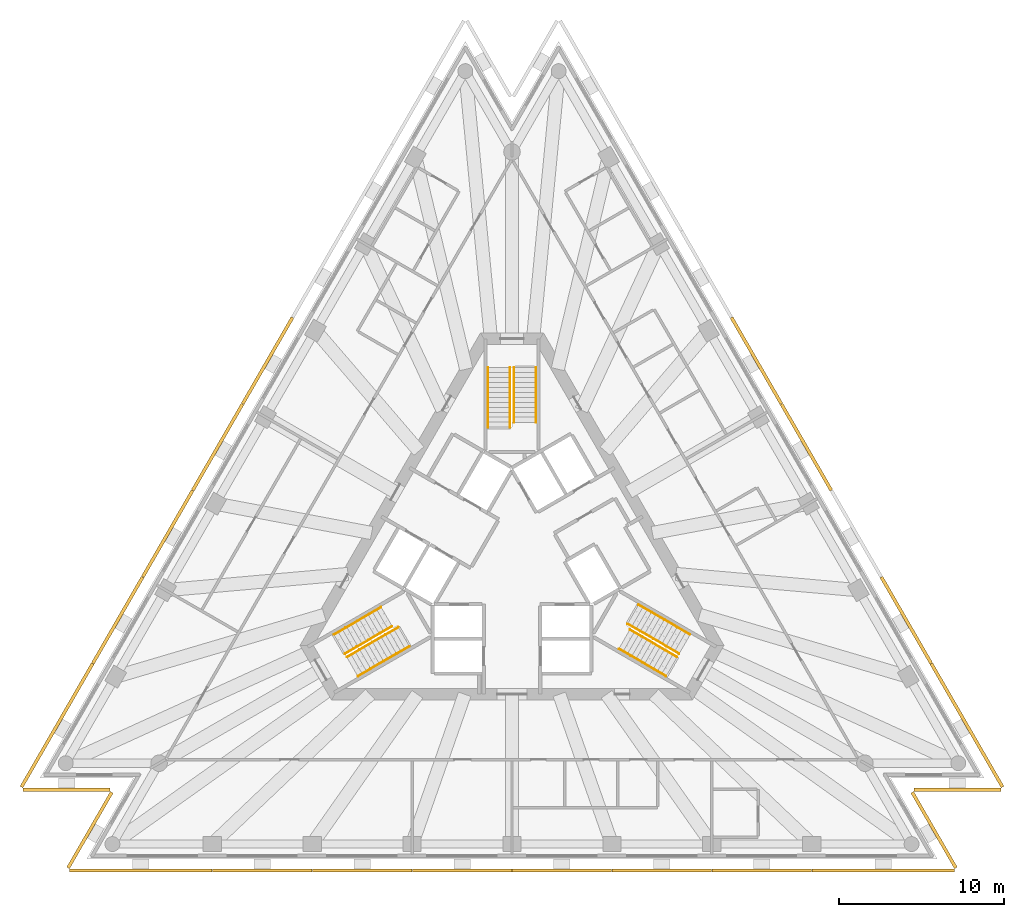
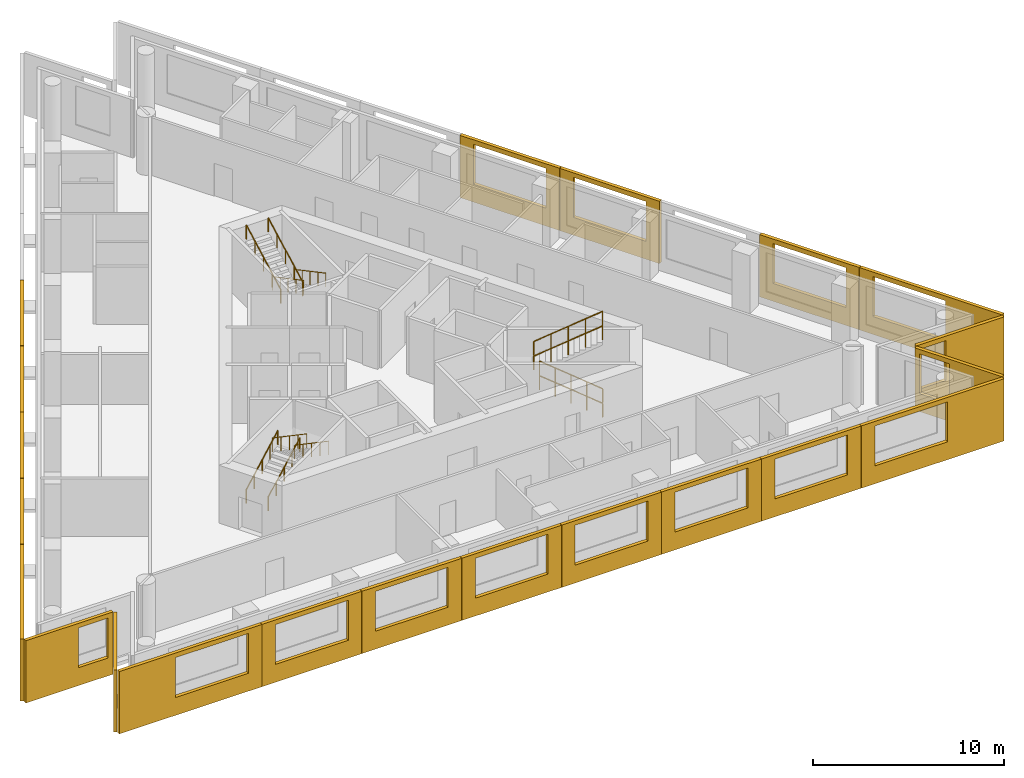
# One storey, part 8 of 9: 21 shading devices, 12 railings, 3 elements without a shape of their own.
"""IFC4 building model written with IfcOpenShell, lengths in metres."""

from ifc_helpers import new_model, si_unit, direction, frame, origin, origin_2d, place, context, subcontext, project, spatial, polyline, circle, outline, extrude, material, layer, layer_set, type_object, element, aggregate, save


model = new_model("IFC4")

# Units and contexts
model_context = context("Model", 3, precision=1e-05, world=origin(), true_north=direction((0.0, 1.0)))
body_context = subcontext(model_context, "Body", "Model", "MODEL_VIEW")
ifc_project = project(units=[si_unit("LENGTHUNIT", "METRE"), si_unit("AREAUNIT", "SQUARE_METRE"), si_unit("VOLUMEUNIT", "CUBIC_METRE"), si_unit("PLANEANGLEUNIT", "RADIAN"), si_unit("MASSUNIT", "GRAM", prefix="KILO")], contexts=[model_context])

# Site, building, storey
site_placement = place(None, origin())
site = spatial("IfcSite", under=ifc_project, at=site_placement, CompositionType="ELEMENT")
building_placement = place(site_placement, origin())
building = spatial("IfcBuilding", under=site, at=building_placement, Name="Triada Interchange Tower", CompositionType="ELEMENT")
storey_placement = place(building_placement, frame((0.0, 0.0, 219.300048828125)))
storey = spatial("IfcBuildingStorey", under=building, at=storey_placement, Name="L51", CompositionType="ELEMENT", Elevation=219.300048828125)

# Shading devices
ifc_material_1 = material(Name="Concrete C50/60 precast", Category="concrete")
ifc_layer_1 = layer(ifc_material_1, 0.02001953125, Name="Exposed aggregate face")
ifc_layer_2 = layer(ifc_material_1, 0.179931640625, Name="Precast concrete screen")
ifc_layer_set = layer_set([ifc_layer_1, ifc_layer_2], Name="Outer skin screen panel 3980")
shading_device_type = type_object("IfcShadingDeviceType", Name="Outer skin screen panel 3980", PredefinedType="SHUTTER", material=ifc_layer_set)
shading_device_1_placement = place(storey_placement, frame((-13.18798828125, 14.577880859375, -0.2900390625), z_axis=(0.0, 0.0, 1.0), x_axis=(-0.499972859464, -0.866041072813, 0.0)))
element("IfcShadingDevice", 1, at=shading_device_1_placement, inside=storey, type_object=shading_device_type, Name="Outer skin screen panel L51 04", PredefinedType="SHUTTER", context=body_context, shape_type="SweptSolid", body=[
    extrude(outline(polyline([(0.0, 0.0), (6.020263671875, 0.0), (6.020263671875, 3.97998046875), (0.0, 3.97998046875), (0.0, 0.0)]), holes=[polyline([(0.81005859375, 1.139892578125), (0.81005859375, 3.68994140625), (5.2099609375, 3.68994140625), (5.2099609375, 1.139892578125), (0.81005859375, 1.139892578125)])]), frame((0.0, 0.0, 0.0), z_axis=(0.0, -1.0, 0.0), x_axis=(1.0, 0.0, 0.0)), (0.0, 0.0, 1.0), 0.199951171875),
])
shading_device_2_placement = place(storey_placement, frame((-16.2080078125, 9.345947265625, -0.2900390625), z_axis=(0.0, 0.0, 1.0), x_axis=(-0.499972859464, -0.866041072813, 0.0)))
element("IfcShadingDevice", 2, at=shading_device_2_placement, inside=storey, type_object=shading_device_type, Name="Outer skin screen panel L51 05", PredefinedType="SHUTTER", context=body_context, shape_type="SweptSolid", body=[
    extrude(outline(polyline([(0.0, 0.0), (6.020263671875, 0.0), (6.020263671875, 3.97998046875), (0.0, 3.97998046875), (0.0, 0.0)]), holes=[polyline([(0.810302734375, 1.139892578125), (0.810302734375, 3.68994140625), (5.21044921875, 3.68994140625), (5.21044921875, 1.139892578125), (0.810302734375, 1.139892578125)])]), frame((0.0, 0.0, 0.0), z_axis=(0.0, -1.0, 0.0), x_axis=(1.0, 0.0, 0.0)), (0.0, 0.0, 1.0), 0.199951171875),
])
shading_device_3_placement = place(storey_placement, frame((-19.22802734375, 4.114990234375, -0.2900390625), z_axis=(0.0, 0.0, 1.0), x_axis=(-0.500076946771, -0.865980973987, 0.0)))
element("IfcShadingDevice", 3, at=shading_device_3_placement, inside=storey, type_object=shading_device_type, Name="Outer skin screen panel L51 06", PredefinedType="SHUTTER", context=body_context, shape_type="SweptSolid", body=[
    extrude(outline(polyline([(0.0, 0.0), (6.02099609375, 0.0), (6.02099609375, 3.97998046875), (0.0, 3.97998046875), (0.0, 0.0)]), holes=[polyline([(0.809814453125, 1.139892578125), (0.809814453125, 3.68994140625), (5.2099609375, 3.68994140625), (5.2099609375, 1.139892578125), (0.809814453125, 1.139892578125)])]), frame((0.0, 0.0, 0.0), z_axis=(0.0, -1.0, 0.0), x_axis=(1.0, 0.0, 0.0)), (0.0, 0.0, 1.0), 0.199951171875),
])
shading_device_4_placement = place(storey_placement, frame((-22.2490234375, -1.115966796875, -0.2900390625), z_axis=(0.0, 0.0, 1.0), x_axis=(-0.499955300828, -0.866051209326, 0.0)))
element("IfcShadingDevice", 4, at=shading_device_4_placement, inside=storey, type_object=shading_device_type, Name="Outer skin screen panel L51 07", PredefinedType="SHUTTER", context=body_context, shape_type="SweptSolid", body=[
    extrude(outline(polyline([(0.0, 0.0), (6.0205078125, 0.0), (6.0205078125, 3.97998046875), (0.0, 3.97998046875), (0.0, 0.0)]), holes=[polyline([(0.810302734375, 1.139892578125), (0.810302734375, 3.68994140625), (5.21044921875, 3.68994140625), (5.21044921875, 1.139892578125), (0.810302734375, 1.139892578125)])]), frame((0.0, 0.0, 0.0), z_axis=(0.0, -1.0, 0.0), x_axis=(1.0, 0.0, 0.0)), (0.0, 0.0, 1.0), 0.199951171875),
])
shading_device_5_placement = place(storey_placement, frame((-25.26904296875, -6.346923828125, -0.2900390625), z_axis=(0.0, 0.0, 1.0), x_axis=(-0.499950501706, -0.866053979752, 0.0)))
element("IfcShadingDevice", 5, at=shading_device_5_placement, inside=storey, type_object=shading_device_type, Name="Outer skin screen panel L51 08", PredefinedType="SHUTTER", context=body_context, shape_type="SweptSolid", body=[
    extrude(outline(polyline([(0.0, 0.0), (8.618408203125, 0.0), (8.618408203125, 3.97998046875), (0.0, 3.97998046875), (0.0, 0.0)]), holes=[polyline([(0.809814453125, 1.139892578125), (0.809814453125, 3.68994140625), (5.2099609375, 3.68994140625), (5.2099609375, 1.139892578125), (0.809814453125, 1.139892578125)])]), frame((0.0, 0.0, 0.0), z_axis=(0.0, -1.0, 0.0), x_axis=(1.0, 0.0, 0.0)), (0.0, 0.0, 1.0), 0.199951171875),
])
shading_device_6_placement = place(storey_placement, frame((-29.572998046875, -13.820068359375, -0.2900390625), z_axis=(0.0, 0.0, 1.0), x_axis=(1.0, 0.0, 0.0)))
element("IfcShadingDevice", 6, at=shading_device_6_placement, inside=storey, type_object=shading_device_type, Name="Outer skin screen panel L51 09", PredefinedType="SHUTTER", context=body_context, shape_type="SweptSolid", body=[
    extrude(outline(polyline([(0.0, 0.0), (5.279052734375, 0.0), (5.279052734375, 3.97998046875), (0.0, 3.97998046875), (0.0, 0.0)]), holes=[polyline([(3.175048828125, 1.139892578125), (3.175048828125, 3.68994140625), (4.97900390625, 3.68994140625), (4.97900390625, 1.139892578125), (3.175048828125, 1.139892578125)])]), frame((0.0, 0.0, 0.0), z_axis=(0.0, -1.0, 0.0), x_axis=(1.0, 0.0, 0.0)), (0.0, 0.0, 1.0), 0.199951171875),
])
shading_device_7_placement = place(storey_placement, frame((-24.114990234375, -14.12890625, -0.2900390625), z_axis=(0.0, 0.0, 1.0), x_axis=(-0.50003334744, -0.866006149775, 0.0)))
element("IfcShadingDevice", 7, at=shading_device_7_placement, inside=storey, type_object=shading_device_type, Name="Outer skin screen panel L51 10", PredefinedType="SHUTTER", context=body_context, shape_type="SweptSolid", body=[
    extrude(outline(polyline([(0.0, 0.0), (5.279541015625, 0.0), (5.279541015625, 3.97998046875), (0.0, 3.97998046875), (0.0, 0.0)]), holes=[polyline([(0.300048828125, 1.139892578125), (0.300048828125, 3.68994140625), (1.758056640625, 3.68994140625), (1.758056640625, 1.139892578125), (0.300048828125, 1.139892578125)])]), frame((0.0, 0.0, 0.0), z_axis=(0.0, -1.0, 0.0), x_axis=(1.0, 0.0, 0.0)), (0.0, 0.0, 1.0), 0.199951171875),
])
shading_device_8_placement = place(storey_placement, frame((-26.75, -18.7099609375, -0.2900390625), z_axis=(0.0, 0.0, 1.0), x_axis=(1.0, 0.0, 0.0)))
element("IfcShadingDevice", 8, at=shading_device_8_placement, inside=storey, type_object=shading_device_type, Name="Outer skin screen panel L51 11", PredefinedType="SHUTTER", context=body_context, shape_type="SweptSolid", body=[
    extrude(outline(polyline([(0.0, 0.0), (8.618896484375, 0.0), (8.618896484375, 3.97998046875), (0.0, 3.97998046875), (0.0, 0.0)]), holes=[polyline([(3.407958984375, 1.139892578125), (3.407958984375, 3.68994140625), (7.80810546875, 3.68994140625), (7.80810546875, 1.139892578125), (3.407958984375, 1.139892578125)])]), frame((0.0, 0.0, 0.0), z_axis=(0.0, -1.0, 0.0), x_axis=(1.0, 0.0, 0.0)), (0.0, 0.0, 1.0), 0.199951171875),
])
shading_device_9_placement = place(storey_placement, frame((-18.112060546875, -18.7099609375, -0.2900390625), z_axis=(0.0, 0.0, 1.0), x_axis=(1.0, 0.0, 0.0)))
element("IfcShadingDevice", 9, at=shading_device_9_placement, inside=storey, type_object=shading_device_type, Name="Outer skin screen panel L51 12", PredefinedType="SHUTTER", context=body_context, shape_type="SweptSolid", body=[
    extrude(outline(polyline([(0.0, 0.0), (6.02099609375, 0.0), (6.02099609375, 3.97998046875), (0.0, 3.97998046875), (0.0, 0.0)]), holes=[polyline([(0.810546875, 1.139892578125), (0.810546875, 3.68994140625), (5.21044921875, 3.68994140625), (5.21044921875, 1.139892578125), (0.810546875, 1.139892578125)])]), frame((0.0, 0.0, 0.0), z_axis=(0.0, -1.0, 0.0), x_axis=(1.0, 0.0, 0.0)), (0.0, 0.0, 1.0), 0.199951171875),
])
shading_device_10_placement = place(storey_placement, frame((-12.071044921875, -18.7099609375, -0.2900390625), z_axis=(0.0, 0.0, 1.0), x_axis=(1.0, 0.0, 0.0)))
element("IfcShadingDevice", 10, at=shading_device_10_placement, inside=storey, type_object=shading_device_type, Name="Outer skin screen panel L51 13", PredefinedType="SHUTTER", context=body_context, shape_type="SweptSolid", body=[
    extrude(outline(polyline([(0.0, 0.0), (6.02001953125, 0.0), (6.02001953125, 3.97998046875), (0.0, 3.97998046875), (0.0, 0.0)]), holes=[polyline([(0.81005859375, 1.139892578125), (0.81005859375, 3.68994140625), (5.2099609375, 3.68994140625), (5.2099609375, 1.139892578125), (0.81005859375, 1.139892578125)])]), frame((0.0, 0.0, 0.0), z_axis=(0.0, -1.0, 0.0), x_axis=(1.0, 0.0, 0.0)), (0.0, 0.0, 1.0), 0.199951171875),
])
shading_device_11_placement = place(storey_placement, frame((-6.030029296875, -18.7099609375, -0.2900390625), z_axis=(0.0, 0.0, 1.0), x_axis=(1.0, 0.0, 0.0)))
element("IfcShadingDevice", 11, at=shading_device_11_placement, inside=storey, type_object=shading_device_type, Name="Outer skin screen panel L51 14", PredefinedType="SHUTTER", context=body_context, shape_type="SweptSolid", body=[
    extrude(outline(polyline([(0.0, 0.0), (6.02001953125, 0.0), (6.02001953125, 3.97998046875), (0.0, 3.97998046875), (0.0, 0.0)]), holes=[polyline([(0.810546875, 1.139892578125), (0.810546875, 3.68994140625), (5.21044921875, 3.68994140625), (5.21044921875, 1.139892578125), (0.810546875, 1.139892578125)])]), frame((0.0, 0.0, 0.0), z_axis=(0.0, -1.0, 0.0), x_axis=(1.0, 0.0, 0.0)), (0.0, 0.0, 1.0), 0.199951171875),
])
shading_device_12_placement = place(storey_placement, frame((0.010009765625, -18.7099609375, -0.2900390625), z_axis=(0.0, 0.0, 1.0), x_axis=(1.0, 0.0, 0.0)))
element("IfcShadingDevice", 12, at=shading_device_12_placement, inside=storey, type_object=shading_device_type, Name="Outer skin screen panel L51 15", PredefinedType="SHUTTER", context=body_context, shape_type="SweptSolid", body=[
    extrude(outline(polyline([(0.0, 0.0), (6.02001953125, 0.0), (6.02001953125, 3.97998046875), (0.0, 3.97998046875), (0.0, 0.0)]), holes=[polyline([(0.81005859375, 1.139892578125), (0.81005859375, 3.68994140625), (5.2099609375, 3.68994140625), (5.2099609375, 1.139892578125), (0.81005859375, 1.139892578125)])]), frame((0.0, 0.0, 0.0), z_axis=(0.0, -1.0, 0.0), x_axis=(1.0, 0.0, 0.0)), (0.0, 0.0, 1.0), 0.199951171875),
])
shading_device_13_placement = place(storey_placement, frame((6.051025390625, -18.7099609375, -0.2900390625), z_axis=(0.0, 0.0, 1.0), x_axis=(1.0, 0.0, 0.0)))
element("IfcShadingDevice", 13, at=shading_device_13_placement, inside=storey, type_object=shading_device_type, Name="Outer skin screen panel L51 16", PredefinedType="SHUTTER", context=body_context, shape_type="SweptSolid", body=[
    extrude(outline(polyline([(0.0, 0.0), (6.02001953125, 0.0), (6.02001953125, 3.97998046875), (0.0, 3.97998046875), (0.0, 0.0)]), holes=[polyline([(0.810546875, 1.139892578125), (0.810546875, 3.68994140625), (5.21044921875, 3.68994140625), (5.21044921875, 1.139892578125), (0.810546875, 1.139892578125)])]), frame((0.0, 0.0, 0.0), z_axis=(0.0, -1.0, 0.0), x_axis=(1.0, 0.0, 0.0)), (0.0, 0.0, 1.0), 0.199951171875),
])
shading_device_14_placement = place(storey_placement, frame((12.091064453125, -18.7099609375, -0.2900390625), z_axis=(0.0, 0.0, 1.0), x_axis=(1.0, 0.0, 0.0)))
element("IfcShadingDevice", 14, at=shading_device_14_placement, inside=storey, type_object=shading_device_type, Name="Outer skin screen panel L51 17", PredefinedType="SHUTTER", context=body_context, shape_type="SweptSolid", body=[
    extrude(outline(polyline([(0.0, 0.0), (6.02099609375, 0.0), (6.02099609375, 3.97998046875), (0.0, 3.97998046875), (0.0, 0.0)]), holes=[polyline([(0.81005859375, 1.139892578125), (0.81005859375, 3.68994140625), (5.2099609375, 3.68994140625), (5.2099609375, 1.139892578125), (0.81005859375, 1.139892578125)])]), frame((0.0, 0.0, 0.0), z_axis=(0.0, -1.0, 0.0), x_axis=(1.0, 0.0, 0.0)), (0.0, 0.0, 1.0), 0.199951171875),
])
shading_device_15_placement = place(storey_placement, frame((18.132080078125, -18.7099609375, -0.2900390625), z_axis=(0.0, 0.0, 1.0), x_axis=(1.0, 0.0, 0.0)))
element("IfcShadingDevice", 15, at=shading_device_15_placement, inside=storey, type_object=shading_device_type, Name="Outer skin screen panel L51 18", PredefinedType="SHUTTER", context=body_context, shape_type="SweptSolid", body=[
    extrude(outline(polyline([(0.0, 0.0), (8.617919921875, 0.0), (8.617919921875, 3.97998046875), (0.0, 3.97998046875), (0.0, 0.0)]), holes=[polyline([(0.810546875, 1.139892578125), (0.810546875, 3.68994140625), (5.21044921875, 3.68994140625), (5.21044921875, 1.139892578125), (0.810546875, 1.139892578125)])]), frame((0.0, 0.0, 0.0), z_axis=(0.0, -1.0, 0.0), x_axis=(1.0, 0.0, 0.0)), (0.0, 0.0, 1.0), 0.199951171875),
])
shading_device_16_placement = place(storey_placement, frame((26.7548828125, -18.700927734375, -0.2900390625), z_axis=(0.0, 0.0, 1.0), x_axis=(-0.50003334744, 0.866006149775, 0.0)))
element("IfcShadingDevice", 16, at=shading_device_16_placement, inside=storey, type_object=shading_device_type, Name="Outer skin screen panel L51 19", PredefinedType="SHUTTER", context=body_context, shape_type="SweptSolid", body=[
    extrude(outline(polyline([(0.0, 0.0), (5.279541015625, 0.0), (5.279541015625, 3.97998046875), (0.0, 3.97998046875), (0.0, 0.0)]), holes=[polyline([(3.17529296875, 1.139892578125), (3.17529296875, 3.68994140625), (4.979736328125, 3.68994140625), (4.979736328125, 1.139892578125), (3.17529296875, 1.139892578125)])]), frame((0.0, 0.0, 0.0), z_axis=(0.0, -1.0, 0.0), x_axis=(1.0, 0.0, 0.0)), (0.0, 0.0, 1.0), 0.199951171875),
])
shading_device_17_placement = place(storey_placement, frame((24.2939453125, -13.820068359375, -0.2900390625), z_axis=(0.0, 0.0, 1.0), x_axis=(1.0, 0.0, 0.0)))
element("IfcShadingDevice", 17, at=shading_device_17_placement, inside=storey, type_object=shading_device_type, Name="Outer skin screen panel L51 20", PredefinedType="SHUTTER", context=body_context, shape_type="SweptSolid", body=[
    extrude(outline(polyline([(0.0, 0.0), (5.279052734375, 0.0), (5.279052734375, 3.97998046875), (0.0, 3.97998046875), (0.0, 0.0)]), holes=[polyline([(0.300048828125, 1.139892578125), (0.300048828125, 3.68994140625), (1.758056640625, 3.68994140625), (1.758056640625, 1.139892578125), (0.300048828125, 1.139892578125)])]), frame((0.0, 0.0, 0.0), z_axis=(0.0, -1.0, 0.0), x_axis=(1.0, 0.0, 0.0)), (0.0, 0.0, 1.0), 0.199951171875),
])
shading_device_18_placement = place(storey_placement, frame((29.577880859375, -13.81103515625, -0.2900390625), z_axis=(0.0, 0.0, 1.0), x_axis=(-0.499950501706, 0.866053979752, 0.0)))
element("IfcShadingDevice", 18, at=shading_device_18_placement, inside=storey, type_object=shading_device_type, Name="Outer skin screen panel L51 21", PredefinedType="SHUTTER", context=body_context, shape_type="SweptSolid", body=[
    extrude(outline(polyline([(0.0, 0.0), (8.618408203125, 0.0), (8.618408203125, 3.97998046875), (0.0, 3.97998046875), (0.0, 0.0)]), holes=[polyline([(3.408203125, 1.139892578125), (3.408203125, 3.68994140625), (7.808349609375, 3.68994140625), (7.808349609375, 1.139892578125), (3.408203125, 1.139892578125)])]), frame((0.0, 0.0, 0.0), z_axis=(0.0, -1.0, 0.0), x_axis=(1.0, 0.0, 0.0)), (0.0, 0.0, 1.0), 0.199951171875),
])
shading_device_19_placement = place(storey_placement, frame((25.259033203125, -6.330078125, -0.2900390625), z_axis=(0.0, 0.0, 1.0), x_axis=(-0.499955300828, 0.866051209326, 0.0)))
element("IfcShadingDevice", 19, at=shading_device_19_placement, inside=storey, type_object=shading_device_type, Name="Outer skin screen panel L51 22", PredefinedType="SHUTTER", context=body_context, shape_type="SweptSolid", body=[
    extrude(outline(polyline([(0.0, 0.0), (6.0205078125, 0.0), (6.0205078125, 3.97998046875), (0.0, 3.97998046875), (0.0, 0.0)]), holes=[polyline([(0.809814453125, 1.139892578125), (0.809814453125, 3.68994140625), (5.209716796875, 3.68994140625), (5.209716796875, 1.139892578125), (0.809814453125, 1.139892578125)])]), frame((0.0, 0.0, 0.0), z_axis=(0.0, -1.0, 0.0), x_axis=(1.0, 0.0, 0.0)), (0.0, 0.0, 1.0), 0.199951171875),
])
shading_device_20_placement = place(storey_placement, frame((19.218017578125, 4.132080078125, -0.2900390625), z_axis=(0.0, 0.0, 1.0), x_axis=(-0.499972859464, 0.866041072813, 0.0)))
element("IfcShadingDevice", 20, at=shading_device_20_placement, inside=storey, type_object=shading_device_type, Name="Outer skin screen panel L51 24", PredefinedType="SHUTTER", context=body_context, shape_type="SweptSolid", body=[
    extrude(outline(polyline([(0.0, 0.0), (6.020263671875, 0.0), (6.020263671875, 3.97998046875), (0.0, 3.97998046875), (0.0, 0.0)]), holes=[polyline([(0.810791015625, 1.139892578125), (0.810791015625, 3.68994140625), (5.210693359375, 3.68994140625), (5.210693359375, 1.139892578125), (0.810791015625, 1.139892578125)])]), frame((0.0, 0.0, 0.0), z_axis=(0.0, -1.0, 0.0), x_axis=(1.0, 0.0, 0.0)), (0.0, 0.0, 1.0), 0.199951171875),
])
shading_device_21_placement = place(storey_placement, frame((16.197998046875, 9.364013671875, -0.2900390625), z_axis=(0.0, 0.0, 1.0), x_axis=(-0.499972859464, 0.866041072813, 0.0)))
element("IfcShadingDevice", 21, at=shading_device_21_placement, inside=storey, type_object=shading_device_type, Name="Outer skin screen panel L51 25", PredefinedType="SHUTTER", context=body_context, shape_type="SweptSolid", body=[
    extrude(outline(polyline([(0.0, 0.0), (6.020263671875, 0.0), (6.020263671875, 3.97998046875), (0.0, 3.97998046875), (0.0, 0.0)]), holes=[polyline([(0.810302734375, 1.139892578125), (0.810302734375, 3.68994140625), (5.210205078125, 3.68994140625), (5.210205078125, 1.139892578125), (0.810302734375, 1.139892578125)])]), frame((0.0, 0.0, 0.0), z_axis=(0.0, -1.0, 0.0), x_axis=(1.0, 0.0, 0.0)), (0.0, 0.0, 1.0), 0.199951171875),
])

# Stair, railings
ifc_material_2 = material(Name="Concrete C35/45", Category="concrete")
stair_type = type_object("IfcStairType", Name="HALF TURN STAIR 1400", PredefinedType="HALF_TURN_STAIR", material=ifc_material_2)
stair_1_placement = place(storey_placement, origin())
stair_1 = element("IfcStair", 22, at=stair_1_placement, inside=storey, type_object=stair_type, Name="Exit stair S50-1", PredefinedType="HALF_TURN_STAIR")
ifc_material_3 = material(Name="Stainless steel 1.4301", Category="steel")
railing_type = type_object("IfcRailingType", Name="STAIR HANDRAIL 900", PredefinedType="HANDRAIL", material=ifc_material_3)
railing_1_placement = place(storey_placement, frame((1.449951171875, 11.60009765625, 0.159912109375)))
railing_1 = element("IfcRailing", 23, at=railing_1_placement, type_object=railing_type, Name="Handrail S50-1 1W", PredefinedType="HANDRAIL", context=body_context, shape_type="SweptSolid", body=[
    extrude(circle(Radius=0.02392578125, at=origin_2d()), frame((0.0, 0.0, 0.8759765625), z_axis=(0.0, -0.882354748157, 0.47058484719), x_axis=(1.0, 0.0, 0.0)), (0.0, 0.0, 1.0), 3.739990234375),
    extrude(circle(Radius=0.02099609375, at=origin_2d()), origin(), (0.0, 0.0, 1.0), 0.851806640625),
    extrude(circle(Radius=0.02099609375, at=origin_2d()), frame((0.0, -0.824951171875, 0.43994140625)), (0.0, 0.0, 1.0), 0.851806640625),
    extrude(circle(Radius=0.02099609375, at=origin_2d()), frame((0.0, -1.64990234375, 0.8798828125)), (0.0, 0.0, 1.0), 0.851806640625),
    extrude(circle(Radius=0.02099609375, at=origin_2d()), frame((0.0, -2.47509765625, 1.320068359375)), (0.0, 0.0, 1.0), 0.851806640625),
    extrude(circle(Radius=0.02099609375, at=origin_2d()), frame((0.0, -3.300048828125, 1.760009765625)), (0.0, 0.0, 1.0), 0.851806640625),
])
railing_2_placement = place(storey_placement, frame((0.1201171875, 11.60009765625, 0.159912109375)))
railing_2 = element("IfcRailing", 24, at=railing_2_placement, type_object=railing_type, Name="Handrail S50-1 1C", PredefinedType="HANDRAIL", context=body_context, shape_type="SweptSolid", body=[
    extrude(circle(Radius=0.02392578125, at=origin_2d()), frame((0.0, 0.0, 0.8759765625), z_axis=(0.0, -0.882354748157, 0.47058484719), x_axis=(1.0, 0.0, 0.0)), (0.0, 0.0, 1.0), 3.739990234375),
    extrude(circle(Radius=0.02099609375, at=origin_2d()), origin(), (0.0, 0.0, 1.0), 0.851806640625),
    extrude(circle(Radius=0.02099609375, at=origin_2d()), frame((0.0, -0.824951171875, 0.43994140625)), (0.0, 0.0, 1.0), 0.851806640625),
    extrude(circle(Radius=0.02099609375, at=origin_2d()), frame((0.0, -1.64990234375, 0.8798828125)), (0.0, 0.0, 1.0), 0.851806640625),
    extrude(circle(Radius=0.02099609375, at=origin_2d()), frame((0.0, -2.47509765625, 1.320068359375)), (0.0, 0.0, 1.0), 0.851806640625),
    extrude(circle(Radius=0.02099609375, at=origin_2d()), frame((0.0, -3.300048828125, 1.760009765625)), (0.0, 0.0, 1.0), 0.851806640625),
])
railing_3_placement = place(storey_placement, frame((-1.449951171875, 8.0, 2.079833984375)))
railing_3 = element("IfcRailing", 25, at=railing_3_placement, type_object=railing_type, Name="Handrail S50-1 2W", PredefinedType="HANDRAIL", context=body_context, shape_type="SweptSolid", body=[
    extrude(circle(Radius=0.02392578125, at=origin_2d()), frame((0.0, 0.0, 0.8759765625), z_axis=(0.0, 0.882341346394, 0.470609974867), x_axis=(-1.0, 0.0, 0.0)), (0.0, 0.0, 1.0), 4.080078125),
    extrude(circle(Radius=0.02099609375, at=origin_2d()), origin(), (0.0, 0.0, 1.0), 0.851806640625),
    extrude(circle(Radius=0.02099609375, at=origin_2d()), frame((0.0, 0.89990234375, 0.47998046875)), (0.0, 0.0, 1.0), 0.851806640625),
    extrude(circle(Radius=0.02099609375, at=origin_2d()), frame((0.0, 1.800048828125, 0.9599609375)), (0.0, 0.0, 1.0), 0.851806640625),
    extrude(circle(Radius=0.02099609375, at=origin_2d()), frame((0.0, 2.7001953125, 1.440185546875)), (0.0, 0.0, 1.0), 0.851806640625),
    extrude(circle(Radius=0.02099609375, at=origin_2d()), frame((0.0, 3.60009765625, 1.920166015625)), (0.0, 0.0, 1.0), 0.851806640625),
])
railing_4_placement = place(storey_placement, frame((-0.1201171875, 8.0, 2.079833984375)))
railing_4 = element("IfcRailing", 26, at=railing_4_placement, type_object=railing_type, Name="Handrail S50-1 2C", PredefinedType="HANDRAIL", context=body_context, shape_type="SweptSolid", body=[
    extrude(circle(Radius=0.02392578125, at=origin_2d()), frame((0.0, 0.0, 0.8759765625), z_axis=(0.0, 0.882341346394, 0.470609974867), x_axis=(-1.0, 0.0, 0.0)), (0.0, 0.0, 1.0), 4.080078125),
    extrude(circle(Radius=0.02099609375, at=origin_2d()), origin(), (0.0, 0.0, 1.0), 0.851806640625),
    extrude(circle(Radius=0.02099609375, at=origin_2d()), frame((0.0, 0.89990234375, 0.47998046875)), (0.0, 0.0, 1.0), 0.851806640625),
    extrude(circle(Radius=0.02099609375, at=origin_2d()), frame((0.0, 1.800048828125, 0.9599609375)), (0.0, 0.0, 1.0), 0.851806640625),
    extrude(circle(Radius=0.02099609375, at=origin_2d()), frame((0.0, 2.7001953125, 1.440185546875)), (0.0, 0.0, 1.0), 0.851806640625),
    extrude(circle(Radius=0.02099609375, at=origin_2d()), frame((0.0, 3.60009765625, 1.920166015625)), (0.0, 0.0, 1.0), 0.851806640625),
])
aggregate(stair_1, [railing_1, railing_2, railing_3, railing_4])

stair_2_placement = place(storey_placement, origin())
stair_2 = element("IfcStair", 27, at=stair_2_placement, inside=storey, type_object=stair_type, Name="Exit stair S50-2", PredefinedType="HALF_TURN_STAIR")
railing_5_placement = place(storey_placement, frame((-10.77099609375, -4.5439453125, 0.159912109375)))
railing_5 = element("IfcRailing", 28, at=railing_5_placement, type_object=railing_type, Name="Handrail S50-2 1W", PredefinedType="HANDRAIL", context=body_context, shape_type="SweptSolid", body=[
    extrude(circle(Radius=0.02392578125, at=origin_2d()), frame((0.0, 0.0, 0.8759765625), z_axis=(0.764150854273, 0.441152526326, 0.470593158077), x_axis=(-0.499974350878, 0.866040211805, 0.0)), (0.0, 0.0, 1.0), 3.739990234375),
    extrude(circle(Radius=0.02099609375, at=origin_2d()), origin(), (0.0, 0.0, 1.0), 0.851806640625),
    extrude(circle(Radius=0.02099609375, at=origin_2d()), frame((0.71435546875, 0.41259765625, 0.43994140625)), (0.0, 0.0, 1.0), 0.851806640625),
    extrude(circle(Radius=0.02099609375, at=origin_2d()), frame((1.428955078125, 0.824951171875, 0.8798828125)), (0.0, 0.0, 1.0), 0.851806640625),
    extrude(circle(Radius=0.02099609375, at=origin_2d()), frame((2.1435546875, 1.2373046875, 1.320068359375)), (0.0, 0.0, 1.0), 0.851806640625),
    extrude(circle(Radius=0.02099609375, at=origin_2d()), frame((2.85791015625, 1.64990234375, 1.760009765625)), (0.0, 0.0, 1.0), 0.851806640625),
])
railing_6_placement = place(storey_placement, frame((-10.10595703125, -5.696044921875, 0.159912109375)))
railing_6 = element("IfcRailing", 29, at=railing_6_placement, type_object=railing_type, Name="Handrail S50-2 1C", PredefinedType="HANDRAIL", context=body_context, shape_type="SweptSolid", body=[
    extrude(circle(Radius=0.02392578125, at=origin_2d()), frame((0.0, 0.0, 0.8759765625), z_axis=(0.76412884773, 0.441205098395, 0.470579605611), x_axis=(-0.50002983664, 0.866008176907, 0.0)), (0.0, 0.0, 1.0), 3.739990234375),
    extrude(circle(Radius=0.02099609375, at=origin_2d()), origin(), (0.0, 0.0, 1.0), 0.851806640625),
    extrude(circle(Radius=0.02099609375, at=origin_2d()), frame((0.71435546875, 0.41259765625, 0.43994140625)), (0.0, 0.0, 1.0), 0.851806640625),
    extrude(circle(Radius=0.02099609375, at=origin_2d()), frame((1.428955078125, 0.8251953125, 0.8798828125)), (0.0, 0.0, 1.0), 0.851806640625),
    extrude(circle(Radius=0.02099609375, at=origin_2d()), frame((2.1435546875, 1.237548828125, 1.320068359375)), (0.0, 0.0, 1.0), 0.851806640625),
    extrude(circle(Radius=0.02099609375, at=origin_2d()), frame((2.85791015625, 1.650146484375, 1.760009765625)), (0.0, 0.0, 1.0), 0.851806640625),
])
railing_7_placement = place(storey_placement, frame((-6.202880859375, -5.256103515625, 2.079833984375)))
railing_7 = element("IfcRailing", 30, at=railing_7_placement, type_object=railing_type, Name="Handrail S50-2 2W", PredefinedType="HANDRAIL", context=body_context, shape_type="SweptSolid", body=[
    extrude(circle(Radius=0.02392578125, at=origin_2d()), frame((0.0, 0.0, 0.8759765625), z_axis=(-0.764189758314, -0.441090424232, 0.470588196769), x_axis=(0.499902469156, -0.866081705922, 0.0)), (0.0, 0.0, 1.0), 4.080322265625),
    extrude(circle(Radius=0.02099609375, at=origin_2d()), origin(), (0.0, 0.0, 1.0), 0.851806640625),
    extrude(circle(Radius=0.02099609375, at=origin_2d()), frame((-0.779541015625, -0.449951171875, 0.47998046875)), (0.0, 0.0, 1.0), 0.851806640625),
    extrude(circle(Radius=0.02099609375, at=origin_2d()), frame((-1.55908203125, -0.89990234375, 0.9599609375)), (0.0, 0.0, 1.0), 0.851806640625),
    extrude(circle(Radius=0.02099609375, at=origin_2d()), frame((-2.338623046875, -1.349853515625, 1.440185546875)), (0.0, 0.0, 1.0), 0.851806640625),
    extrude(circle(Radius=0.02099609375, at=origin_2d()), frame((-3.1181640625, -1.7998046875, 1.920166015625)), (0.0, 0.0, 1.0), 0.851806640625),
])
railing_8_placement = place(storey_placement, frame((-6.867919921875, -4.10400390625, 2.079833984375)))
railing_8 = element("IfcRailing", 31, at=railing_8_placement, type_object=railing_type, Name="Handrail S50-2 2C", PredefinedType="HANDRAIL", context=body_context, shape_type="SweptSolid", body=[
    extrude(circle(Radius=0.02392578125, at=origin_2d()), frame((0.0, 0.0, 0.8759765625), z_axis=(-0.764169589359, -0.441138614339, 0.470575776723), x_axis=(0.49995333141, -0.866052346231, 0.0)), (0.0, 0.0, 1.0), 4.08056640625),
    extrude(circle(Radius=0.02099609375, at=origin_2d()), origin(), (0.0, 0.0, 1.0), 0.851806640625),
    extrude(circle(Radius=0.02099609375, at=origin_2d()), frame((-0.779541015625, -0.449951171875, 0.47998046875)), (0.0, 0.0, 1.0), 0.851806640625),
    extrude(circle(Radius=0.02099609375, at=origin_2d()), frame((-1.55908203125, -0.89990234375, 0.9599609375)), (0.0, 0.0, 1.0), 0.851806640625),
    extrude(circle(Radius=0.02099609375, at=origin_2d()), frame((-2.338623046875, -1.35009765625, 1.440185546875)), (0.0, 0.0, 1.0), 0.851806640625),
    extrude(circle(Radius=0.02099609375, at=origin_2d()), frame((-3.1181640625, -1.800048828125, 1.920166015625)), (0.0, 0.0, 1.0), 0.851806640625),
])
aggregate(stair_2, [railing_5, railing_6, railing_7, railing_8])

stair_3_placement = place(storey_placement, origin())
stair_3 = element("IfcStair", 32, at=stair_3_placement, inside=storey, type_object=stair_type, Name="Exit stair S50-3", PredefinedType="HALF_TURN_STAIR")
railing_9_placement = place(storey_placement, frame((9.321044921875, -7.055908203125, 0.159912109375)))
railing_9 = element("IfcRailing", 33, at=railing_9_placement, type_object=railing_type, Name="Handrail S50-3 1W", PredefinedType="HANDRAIL", context=body_context, shape_type="SweptSolid", body=[
    extrude(circle(Radius=0.02392578125, at=origin_2d()), frame((0.0, 0.0, 0.8759765625), z_axis=(-0.764178012919, 0.441130521168, 0.470569684388), x_axis=(-0.499942318283, -0.866058703778, 0.0)), (0.0, 0.0, 1.0), 3.740234375),
    extrude(circle(Radius=0.02099609375, at=origin_2d()), origin(), (0.0, 0.0, 1.0), 0.851806640625),
    extrude(circle(Radius=0.02099609375, at=origin_2d()), frame((-0.714599609375, 0.41259765625, 0.43994140625)), (0.0, 0.0, 1.0), 0.851806640625),
    extrude(circle(Radius=0.02099609375, at=origin_2d()), frame((-1.42919921875, 0.824951171875, 0.8798828125)), (0.0, 0.0, 1.0), 0.851806640625),
    extrude(circle(Radius=0.02099609375, at=origin_2d()), frame((-2.1435546875, 1.2373046875, 1.320068359375)), (0.0, 0.0, 1.0), 0.851806640625),
    extrude(circle(Radius=0.02099609375, at=origin_2d()), frame((-2.858154296875, 1.64990234375, 1.760009765625)), (0.0, 0.0, 1.0), 0.851806640625),
])
railing_10_placement = place(storey_placement, frame((9.986083984375, -5.904052734375, 0.159912109375)))
railing_10 = element("IfcRailing", 34, at=railing_10_placement, type_object=railing_type, Name="Handrail S50-3 1C", PredefinedType="HANDRAIL", context=body_context, shape_type="SweptSolid", body=[
    extrude(circle(Radius=0.02392578125, at=origin_2d()), frame((0.0, 0.0, 0.8759765625), z_axis=(-0.764156007789, 0.441183091881, 0.47055613395), x_axis=(-0.49999780286, -0.8660266723, 0.0)), (0.0, 0.0, 1.0), 3.740234375),
    extrude(circle(Radius=0.02099609375, at=origin_2d()), origin(), (0.0, 0.0, 1.0), 0.851806640625),
    extrude(circle(Radius=0.02099609375, at=origin_2d()), frame((-0.714599609375, 0.41259765625, 0.43994140625)), (0.0, 0.0, 1.0), 0.851806640625),
    extrude(circle(Radius=0.02099609375, at=origin_2d()), frame((-1.42919921875, 0.8251953125, 0.8798828125)), (0.0, 0.0, 1.0), 0.851806640625),
    extrude(circle(Radius=0.02099609375, at=origin_2d()), frame((-2.1435546875, 1.237548828125, 1.320068359375)), (0.0, 0.0, 1.0), 0.851806640625),
    extrude(circle(Radius=0.02099609375, at=origin_2d()), frame((-2.858154296875, 1.650146484375, 1.760009765625)), (0.0, 0.0, 1.0), 0.851806640625),
])
railing_11_placement = place(storey_placement, frame((7.653076171875, -2.743896484375, 2.079833984375)))
railing_11 = element("IfcRailing", 35, at=railing_11_placement, type_object=railing_type, Name="Handrail S50-3 2W", PredefinedType="HANDRAIL", context=body_context, shape_type="SweptSolid", body=[
    extrude(circle(Radius=0.02392578125, at=origin_2d()), frame((0.0, 0.0, 0.8759765625), z_axis=(0.76414469501, -0.441158784458, 0.470597292793), x_axis=(0.499982693035, 0.866035395735, 0.0)), (0.0, 0.0, 1.0), 4.080322265625),
    extrude(circle(Radius=0.02099609375, at=origin_2d()), origin(), (0.0, 0.0, 1.0), 0.851806640625),
    extrude(circle(Radius=0.02099609375, at=origin_2d()), frame((0.779541015625, -0.449951171875, 0.47998046875)), (0.0, 0.0, 1.0), 0.851806640625),
    extrude(circle(Radius=0.02099609375, at=origin_2d()), frame((1.55908203125, -0.89990234375, 0.9599609375)), (0.0, 0.0, 1.0), 0.851806640625),
    extrude(circle(Radius=0.02099609375, at=origin_2d()), frame((2.33837890625, -1.35009765625, 1.440185546875)), (0.0, 0.0, 1.0), 0.851806640625),
    extrude(circle(Radius=0.02099609375, at=origin_2d()), frame((3.117919921875, -1.800048828125, 1.920166015625)), (0.0, 0.0, 1.0), 0.851806640625),
])
railing_12_placement = place(storey_placement, frame((6.988037109375, -3.89599609375, 2.079833984375)))
railing_12 = element("IfcRailing", 36, at=railing_12_placement, type_object=railing_type, Name="Handrail S50-3 2C", PredefinedType="HANDRAIL", context=body_context, shape_type="SweptSolid", body=[
    extrude(circle(Radius=0.02392578125, at=origin_2d()), frame((0.0, 0.0, 0.8759765625), z_axis=(0.76414469501, -0.441158784458, 0.470597292793), x_axis=(0.499982693035, 0.866035395735, 0.0)), (0.0, 0.0, 1.0), 4.080322265625),
    extrude(circle(Radius=0.02099609375, at=origin_2d()), origin(), (0.0, 0.0, 1.0), 0.851806640625),
    extrude(circle(Radius=0.02099609375, at=origin_2d()), frame((0.779541015625, -0.449951171875, 0.47998046875)), (0.0, 0.0, 1.0), 0.851806640625),
    extrude(circle(Radius=0.02099609375, at=origin_2d()), frame((1.55908203125, -0.89990234375, 0.9599609375)), (0.0, 0.0, 1.0), 0.851806640625),
    extrude(circle(Radius=0.02099609375, at=origin_2d()), frame((2.33837890625, -1.35009765625, 1.440185546875)), (0.0, 0.0, 1.0), 0.851806640625),
    extrude(circle(Radius=0.02099609375, at=origin_2d()), frame((3.117919921875, -1.800048828125, 1.920166015625)), (0.0, 0.0, 1.0), 0.851806640625),
])
aggregate(stair_3, [railing_9, railing_10, railing_11, railing_12])

save(model, "model.ifc")
